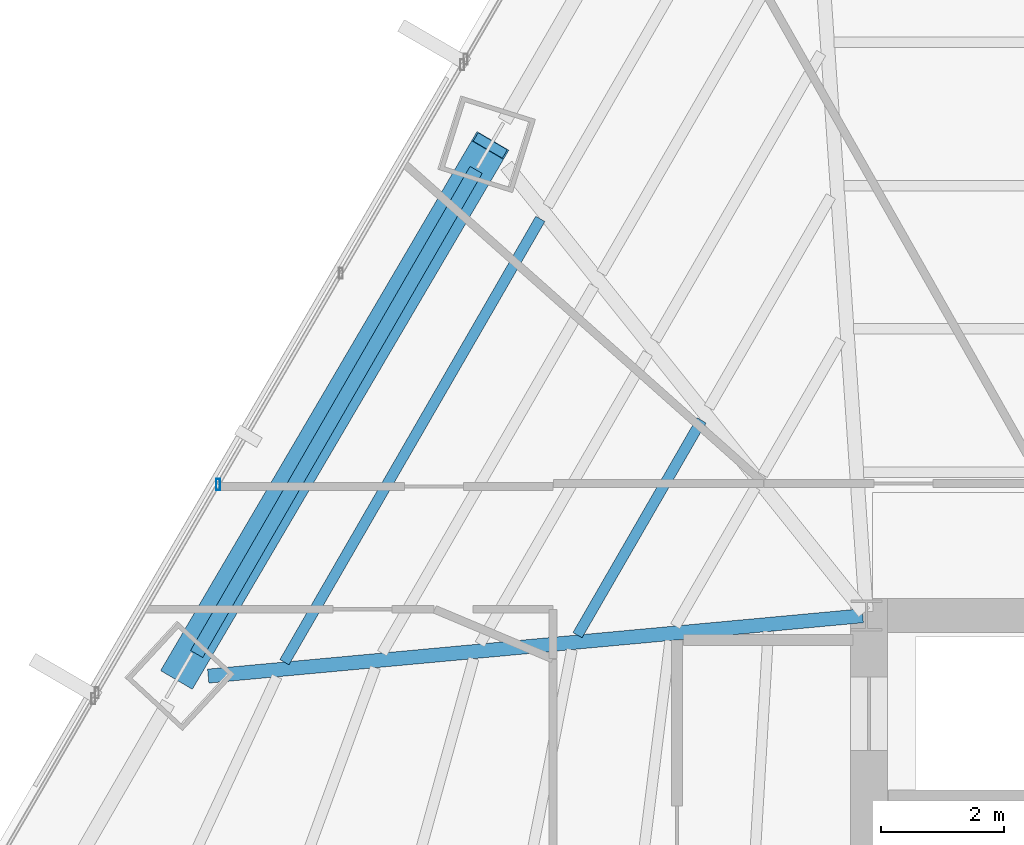
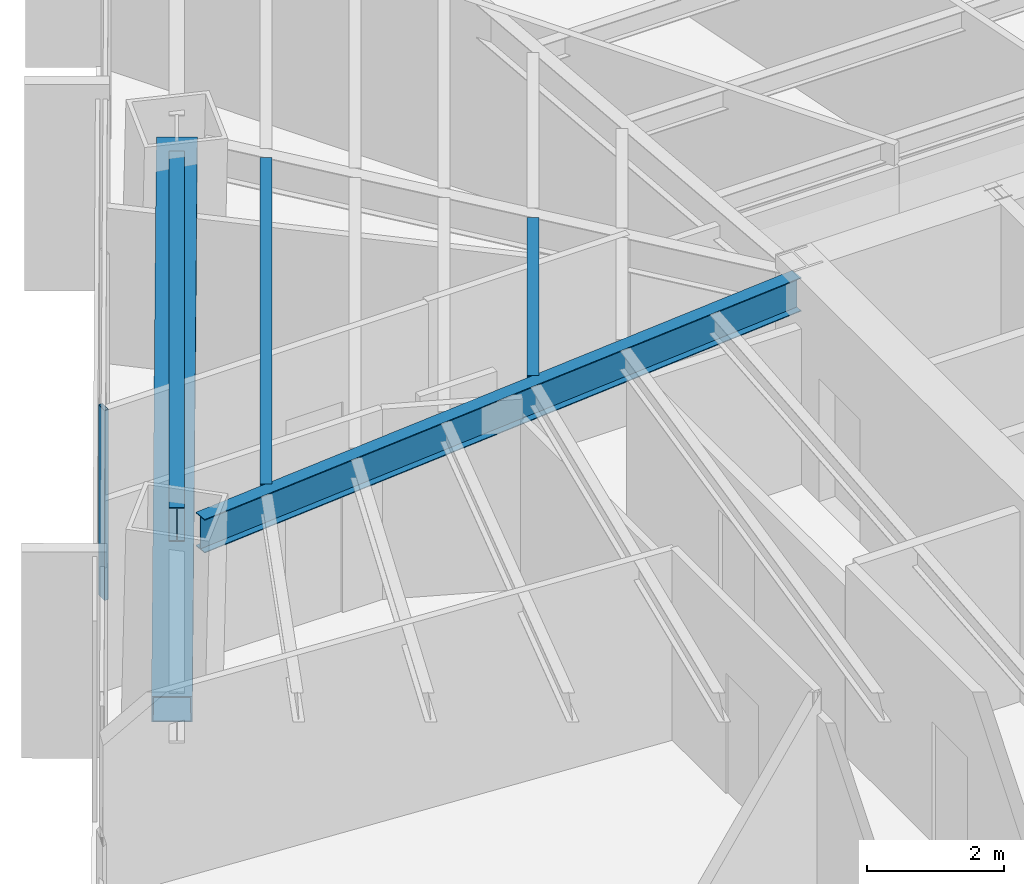
# One storey, part 12 of 35: 4 beams, 2 members, 1 element without a shape of its own.
"""IFC4 building model written with IfcOpenShell, lengths in metres."""

from ifc_helpers import new_model, si_unit, direction, frame, origin, origin_2d, place, context, subcontext, project, spatial, hollow_rectangle, i_section, extrude, source, transform, mapped, material, material_profile, profile_set, type_object, type_shapes, element, aggregate, save


model = new_model("IFC4")

# Units and contexts
model_context = context("Model", 3, precision=1e-05, world=origin(), true_north=direction((0.0, 1.0)))
body_context = subcontext(model_context, "Body", "Model", "MODEL_VIEW")
ifc_project = project(units=[si_unit("LENGTHUNIT", "METRE"), si_unit("AREAUNIT", "SQUARE_METRE"), si_unit("VOLUMEUNIT", "CUBIC_METRE"), si_unit("PLANEANGLEUNIT", "RADIAN"), si_unit("MASSUNIT", "GRAM", prefix="KILO")], contexts=[model_context])

# Site, building, storey
site_placement = place(None, origin())
site = spatial("IfcSite", under=ifc_project, at=site_placement, CompositionType="ELEMENT")
building_placement = place(site_placement, origin())
building = spatial("IfcBuilding", under=site, at=building_placement, Name="Caelisora Broadcast Tower", CompositionType="ELEMENT")
storey_placement = place(building_placement, frame((0.0, 0.0, 53.14990234375)))
storey = spatial("IfcBuildingStorey", under=building, at=storey_placement, Name="L13", CompositionType="ELEMENT", Elevation=53.14990234375)

# Beams
ifc_material_1 = material(Name="Steel Grade 350 (AS/NZS 3679.1)", Category="steel")
ifc_material_profile_1 = material_profile(ifc_material_1, i_section(OverallWidth=0.22900390625, OverallDepth=0.611572265625, WebThickness=0.011962890625, FlangeThickness=0.01953125, at=origin_2d()), Name="Steel Grade 350 (AS/NZS 3679.1)")
ifc_profile_set_1 = profile_set([ifc_material_profile_1], Name="Steel Grade 350 (AS/NZS 3679.1)")
beam_type_1 = type_object("IfcBeamType", Name="PG03", PredefinedType="BEAM", material=ifc_profile_set_1)
shared_shape_1 = source(origin(), body_context, "Body", "SweptSolid", [
    extrude(i_section(OverallWidth=0.22900390625, OverallDepth=0.611572265625, WebThickness=0.011962890625, FlangeThickness=0.01953125, at=origin_2d()), origin(), (0.0, 0.0, 1.0), 9.09716796875),
])
type_shapes(beam_type_1, [shared_shape_1])
beam_1_placement = place(storey_placement, frame((24.1474609375, 37.25, 3.09423828125), z_axis=(-0.499998124367, -0.866026486679, 0.0), x_axis=(0.866026486679, -0.499998124367, 0.0)))
element("IfcBeam", 1, at=beam_1_placement, inside=storey, type_object=beam_type_1, Name="L13 beam PG03", PredefinedType="BEAM", context=body_context, shape_type="MappedRepresentation", body=[
    mapped(shared_shape_1, transform((0.0, 0.0, 0.0), scale=1.0)),
])
ifc_material_profile_2 = material_profile(ifc_material_1, i_section(OverallWidth=0.22802734375, OverallDepth=0.602294921875, WebThickness=0.010498046875, FlangeThickness=0.014892578125, at=origin_2d()), Name="Steel Grade 350 (AS/NZS 3679.1)")
ifc_profile_set_2 = profile_set([ifc_material_profile_2], Name="Steel Grade 350 (AS/NZS 3679.1)")
beam_type_2 = type_object("IfcBeamType", Name="PG04", PredefinedType="BEAM", material=ifc_profile_set_2)
shared_shape_2 = source(origin(), body_context, "Body", "SweptSolid", [
    extrude(i_section(OverallWidth=0.22802734375, OverallDepth=0.602294921875, WebThickness=0.010498046875, FlangeThickness=0.014892578125, at=origin_2d()), origin(), (0.0, 0.0, 1.0), 10.6982421875),
])
type_shapes(beam_type_2, [shared_shape_2])
beam_2_placement = place(storey_placement, frame((30.440185546875, 29.994384765625, 3.098876953125), z_axis=(-0.995774708734, -0.091829894075, 0.0), x_axis=(0.091829894075, -0.995774708734, 0.0)))
element("IfcBeam", 2, at=beam_2_placement, inside=storey, type_object=beam_type_2, Name="L13 beam PG04", PredefinedType="BEAM", context=body_context, shape_type="MappedRepresentation", body=[
    mapped(shared_shape_2, transform((0.0, 0.0, 0.0), scale=1.0)),
])
ifc_material_profile_3 = material_profile(ifc_material_1, i_section(OverallWidth=0.172119140625, OverallDepth=0.358642578125, WebThickness=0.008056640625, FlangeThickness=0.012939453125, at=origin_2d()), Name="Steel Grade 350 (AS/NZS 3679.1)")
ifc_profile_set_3 = profile_set([ifc_material_profile_3], Name="Steel Grade 350 (AS/NZS 3679.1)")
beam_type_3 = type_object("IfcBeamType", Name="SB02", PredefinedType="JOIST", material=ifc_profile_set_3)
shared_shape_3 = source(origin(), body_context, "Body", "SweptSolid", [
    extrude(i_section(OverallWidth=0.172119140625, OverallDepth=0.358642578125, WebThickness=0.008056640625, FlangeThickness=0.012939453125, at=origin_2d()), origin(), (0.0, 0.0, 1.0), 4.036865234375),
])
beam_3_placement = place(storey_placement, frame((27.81640625, 33.17431640625, 3.220703125), z_axis=(-0.500015609314, -0.866016391555, 0.0), x_axis=(0.866016391555, -0.500015609314, 0.0)))
element("IfcBeam", 3, at=beam_3_placement, inside=storey, type_object=beam_type_3, Name="L13 beam SB02", PredefinedType="JOIST", context=body_context, shape_type="MappedRepresentation", body=[
    mapped(shared_shape_3, transform((0.0, 0.0, 0.0), scale=1.0)),
])
shared_shape_4 = source(origin(), body_context, "Body", "SweptSolid", [
    extrude(i_section(OverallWidth=0.172119140625, OverallDepth=0.358642578125, WebThickness=0.008056640625, FlangeThickness=0.012939453125, at=origin_2d()), origin(), (0.0, 0.0, 1.0), 8.330078125),
])
type_shapes(beam_type_3, [shared_shape_3, shared_shape_4])
beam_4_placement = place(storey_placement, frame((25.1923828125, 36.452392578125, 3.220703125), z_axis=(-0.499997294027, -0.866026966073, 0.0), x_axis=(0.866026966073, -0.499997294027, 0.0)))
element("IfcBeam", 4, at=beam_4_placement, inside=storey, type_object=beam_type_3, Name="L13 beam SB02", PredefinedType="JOIST", context=body_context, shape_type="MappedRepresentation", body=[
    mapped(shared_shape_4, transform((0.0, 0.0, 0.0), scale=1.0)),
])

# Member
ifc_material_2 = material(Name="Steel Grade 450 L15 (AS/NZS 3678)", Category="steel")
ifc_material_profile_4 = material_profile(ifc_material_2, hollow_rectangle(XDim=0.60009765625, YDim=0.60009765625, WallThickness=0.02490234375, at=origin_2d()), Name="Steel Grade 450 L15 (AS/NZS 3678)")
ifc_profile_set_4 = profile_set([ifc_material_profile_4], Name="Steel Grade 450 L15 (AS/NZS 3678)")
member_type_1 = type_object("IfcMemberType", Name="BR01", PredefinedType="BRACE", material=ifc_profile_set_4)
shared_shape_5 = source(origin(), body_context, "Body", "SweptSolid", [
    extrude(hollow_rectangle(XDim=0.60009765625, YDim=0.60009765625, WallThickness=0.02490234375, at=origin_2d()), origin(), (0.0, 0.0, 1.0), 10.441162109375),
])
type_shapes(member_type_1, [shared_shape_5])
member_1_placement = place(storey_placement, frame((24.37744140625, 37.648193359375, 3.10009765625), z_axis=(-0.484910620024, -0.826017579467, -0.287326728656), x_axis=(0.86238195676, -0.506258195643, 0.0)))
element("IfcMember", 5, at=member_1_placement, inside=storey, type_object=member_type_1, Name="L13 perimeter brace BR01", PredefinedType="BRACE", context=body_context, shape_type="MappedRepresentation", body=[
    mapped(shared_shape_5, transform((0.0, 0.0, 0.0), scale=1.0)),
])

# Curtain wall, member
ifc_material_3 = material(Name="Unitised Aluminium Insulated Shadow-Box Spandrel Curtain Wall", Category="aluminium")
curtain_wall_type = type_object("IfcCurtainWallType", Name="CW-SP1", PredefinedType="NOTDEFINED", material=ifc_material_3)
curtain_wall_placement = place(storey_placement, origin())
curtain_wall = element("IfcCurtainWall", 6, at=curtain_wall_placement, inside=storey, type_object=curtain_wall_type, Name="L13 curtain wall CW-SP1", PredefinedType="NOTDEFINED")
ifc_material_4 = material(Name="Aluminium 6063-T6 Anodised Terracotta Bronze", Category="aluminium")
ifc_material_profile_5 = material_profile(ifc_material_4, hollow_rectangle(XDim=0.06494140625, YDim=0.179931640625, WallThickness=0.00341796875, at=origin_2d()), Name="Aluminium 6063-T6 Anodised Terracotta Bronze")
ifc_profile_set_5 = profile_set([ifc_material_profile_5], Name="Aluminium 6063-T6 Anodised Terracotta Bronze")
member_type_2 = type_object("IfcMemberType", Name="CWM-02", PredefinedType="MULLION", material=ifc_profile_set_5)
shared_shape_6 = source(origin(), body_context, "Body", "SweptSolid", [
    extrude(hollow_rectangle(XDim=0.06494140625, YDim=0.179931640625, WallThickness=0.00341796875, at=origin_2d()), origin(), (0.0, 0.0, 1.0), 3.400146484375),
])
type_shapes(member_type_2, [shared_shape_6])
member_2_placement = place(storey_placement, frame((19.948974609375, 32.130615234375, 0.0), z_axis=(0.0, 0.0, 1.0), x_axis=(1.0, 0.0, 0.0)))
member_2 = element("IfcMember", 7, at=member_2_placement, type_object=member_type_2, Name="L13-CW-B10 mullion #1", PredefinedType="MULLION", context=body_context, shape_type="MappedRepresentation", body=[
    mapped(shared_shape_6, transform((0.0, 0.0, 0.0), scale=1.0)),
])
aggregate(curtain_wall, [member_2])

save(model, "model.ifc")
